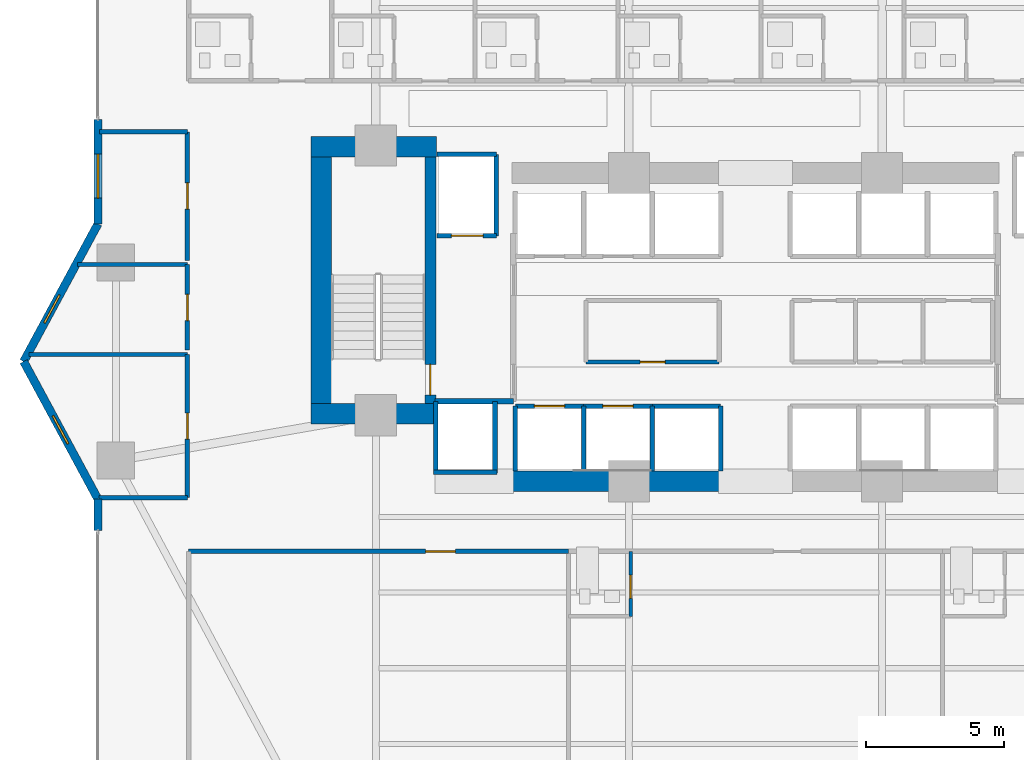
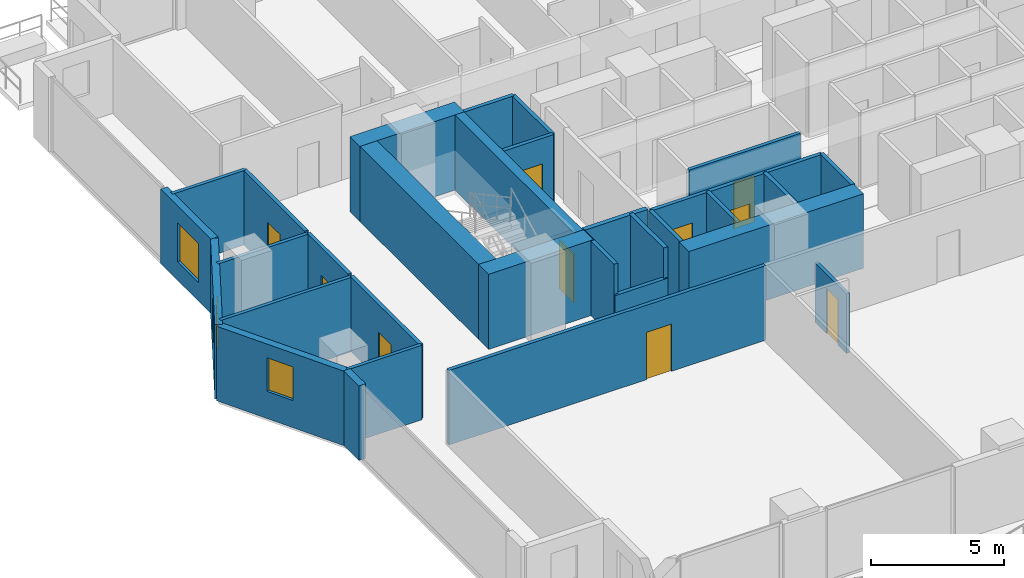
# One storey, part 21 of 29: 33 walls, 10 doors, 3 windows, 13 openings.
"""IFC4 building model written with IfcOpenShell, lengths in metres."""

from ifc_helpers import new_model, si_unit, direction, frame, frame_2d, origin, place, context, subcontext, project, spatial, rectangle, extrude, material, layer, layer_set, type_object, element, fill, save


model = new_model("IFC4")

# Units and contexts
model_context = context("Model", 3, precision=1e-05, world=origin(), true_north=direction((0.0, 1.0)))
body_context = subcontext(model_context, "Body", "Model", "MODEL_VIEW")
ifc_project = project(units=[si_unit("LENGTHUNIT", "METRE"), si_unit("AREAUNIT", "SQUARE_METRE"), si_unit("VOLUMEUNIT", "CUBIC_METRE"), si_unit("PLANEANGLEUNIT", "RADIAN"), si_unit("MASSUNIT", "GRAM", prefix="KILO")], contexts=[model_context])

# Site, building, storey
site_placement = place(None, origin())
site = spatial("IfcSite", under=ifc_project, at=site_placement, CompositionType="ELEMENT")
building_placement = place(site_placement, origin())
building = spatial("IfcBuilding", under=site, at=building_placement, Name="Zuhayl Quay Hotel", CompositionType="ELEMENT")
storey_placement = place(building_placement, frame((0.0, 0.0, 113.89990234375)))
storey = spatial("IfcBuildingStorey", under=building, at=storey_placement, Name="L28", CompositionType="ELEMENT", Elevation=113.89990234375)

# Walls
ifc_material_1 = material(Name="Concrete C60/75", Category="concrete")
ifc_layer_1 = layer(ifc_material_1, 0.75, Name="Concrete C60/75", Category="concrete")
ifc_layer_set_1 = layer_set([ifc_layer_1], Name="Concrete C60/75")
wall_type_1 = type_object("IfcWallType", Name="WL_CORE_750", PredefinedType="SHEAR", material=ifc_layer_set_1)
wall_1_placement = place(storey_placement, frame((-16.159912109375, 14.304931640625, 0.0), z_axis=(0.0, 0.0, 1.0), x_axis=(1.0, 0.0, 0.0)))
element("IfcWall", 1, at=wall_1_placement, inside=storey, type_object=wall_type_1, Name="L28 Core Shear Wall CW_NW", PredefinedType="SHEAR", context=body_context, shape_type="SweptSolid", body=[
    extrude(rectangle(XDim=4.559814453125, YDim=0.75, at=frame_2d((2.27978515625, 0.0))), origin(), (0.0, 0.0, 1.0), 3.460205078125),
])
wall_2_placement = place(storey_placement, frame((-15.784912109375, 4.969970703125, 0.0), z_axis=(0.0, 0.0, 1.0), x_axis=(0.0, 1.0, 0.0)))
element("IfcWall", 2, at=wall_2_placement, inside=storey, type_object=wall_type_1, Name="L28 Core Shear Wall CW_W", PredefinedType="SHEAR", context=body_context, shape_type="SweptSolid", body=[
    extrude(rectangle(XDim=8.9599609375, YDim=0.75, at=frame_2d((4.47998046875, 0.0))), origin(), (0.0, 0.0, 1.0), 3.460205078125),
])
wall_3_placement = place(storey_placement, frame((-16.159912109375, 4.594970703125, 0.0), z_axis=(0.0, 0.0, 1.0), x_axis=(1.0, 0.0, 0.0)))
element("IfcWall", 3, at=wall_3_placement, inside=storey, type_object=wall_type_1, Name="L28 Core Shear Wall CW_SW", PredefinedType="SHEAR", context=body_context, shape_type="SweptSolid", body=[
    extrude(rectangle(XDim=4.559814453125, YDim=0.75, at=frame_2d((2.27978515625, 0.0))), origin(), (0.0, 0.0, 1.0), 3.460205078125),
])
wall_4_placement = place(storey_placement, frame((-8.85009765625, 2.14990234375, 0.0), z_axis=(0.0, 0.0, 1.0), x_axis=(1.0, 0.0, 0.0)))
element("IfcWall", 4, at=wall_4_placement, inside=storey, type_object=wall_type_1, Name="L28 Core Shear Wall CW_SC_W", PredefinedType="SHEAR", context=body_context, shape_type="SweptSolid", body=[
    extrude(rectangle(XDim=7.60009765625, YDim=0.75, at=frame_2d((3.800048828125, 0.0))), origin(), (0.0, 0.0, 1.0), 3.43017578125),
])
ifc_material_2 = material(Name="Precast concrete C45/55", Category="concrete")
ifc_layer_2 = layer(ifc_material_2, 0.300048828125, Name="Precast concrete C45/55", Category="concrete")
ifc_layer_set_2 = layer_set([ifc_layer_2], Name="Precast concrete C45/55")
wall_type_2 = type_object("IfcWallType", Name="WL_EXT_300", PredefinedType="STANDARD", material=ifc_layer_set_2)
wall_5_placement = place(storey_placement, frame((-23.89990234375, 0.35009765625, 0.0), z_axis=(0.0, 0.0, 1.0), x_axis=(0.0, 1.0, 0.0)))
element("IfcWall", 5, at=wall_5_placement, inside=storey, type_object=wall_type_2, Name="L28 Exterior Precast Wall ENV_L28_E02_EW2", PredefinedType="STANDARD", context=body_context, shape_type="SweptSolid", body=[
    extrude(rectangle(XDim=1.14990234375, YDim=0.300048828125, at=frame_2d((0.574951171875, 0.0))), origin(), (0.0, 0.0, 1.0), 3.43017578125),
])

# Wall, opening, window
wall_6_placement = place(storey_placement, frame((-23.89990234375, 1.5, 0.0), z_axis=(0.0, 0.0, 1.0), x_axis=(-0.475175525499, 0.879891027325, 0.0)))
wall_6 = element("IfcWall", 6, at=wall_6_placement, inside=storey, type_object=wall_type_2, Name="L28 Exterior Precast Wall ENV_L28_EW03", PredefinedType="STANDARD", context=body_context, shape_type="SweptSolid", body=[
    extrude(rectangle(XDim=5.6826171875, YDim=0.300048828125, at=frame_2d((2.84130859375, 0.0))), origin(), (0.0, 0.0, 1.0), 3.43017578125),
])
opening_1_placement = place(wall_6_placement, frame((2.290283203125, 0.0, 1.25)))
opening_1 = element("IfcOpeningElement", 7, at=opening_1_placement, cuts=wall_6, Name="Opening W01N", PredefinedType="OPENING", context=body_context, shape_type="SweptSolid", body=[
    extrude(rectangle(XDim=1.14990234375, YDim=1.550048828125, at=frame_2d((0.574951171875, 0.77490234375))), frame((0.0, 0.159912109375, 0.0), z_axis=(0.0, -1.0, 0.0), x_axis=(1.0, 0.0, 0.0)), (0.0, 0.0, 1.0), 0.320068359375),
])
ifc_material_3 = material(Name="Dark Ceramic-Fritted Solar Glass", Category="glass")
window_type_1 = type_object("IfcWindowType", Name="WN_NOTCH_1350", PartitioningType="SINGLE_PANEL", PredefinedType="WINDOW", material=ifc_material_3)
window_1_placement = place(opening_1_placement, origin())
window_1 = element("IfcWindow", 8, at=window_1_placement, inside=storey, type_object=window_type_1, Name="L28 Corner Notch Window 3", OverallHeight=1.550048828125, OverallWidth=1.14990234375, PartitioningType="SINGLE_PANEL", PredefinedType="WINDOW", context=body_context, shape_type="SweptSolid", body=[
    extrude(rectangle(XDim=1.14990234375, YDim=1.550048828125, at=frame_2d((0.574951171875, 0.77490234375))), frame((0.0, 0.030029296875, 0.0), z_axis=(0.0, -1.0, 0.0), x_axis=(1.0, 0.0, 0.0)), (0.0, 0.0, 1.0), 0.06005859375),
])
fill(opening_1, window_1)

wall_7_placement = place(storey_placement, frame((-26.60009765625, 6.5, 0.0), z_axis=(0.0, 0.0, 1.0), x_axis=(0.475175525499, 0.879891027325, 0.0)))
wall_7 = element("IfcWall", 9, at=wall_7_placement, inside=storey, type_object=wall_type_2, Name="L28 Exterior Precast Wall ENV_L28_EW04", PredefinedType="STANDARD", context=body_context, shape_type="SweptSolid", body=[
    extrude(rectangle(XDim=5.6826171875, YDim=0.300048828125, at=frame_2d((2.84130859375, 0.0))), origin(), (0.0, 0.0, 1.0), 3.43017578125),
])
opening_2_placement = place(wall_7_placement, frame((1.595703125, 0.0, 1.25)))
opening_2 = element("IfcOpeningElement", 10, at=opening_2_placement, cuts=wall_7, Name="Opening W01N", PredefinedType="OPENING", context=body_context, shape_type="SweptSolid", body=[
    extrude(rectangle(XDim=1.14990234375, YDim=1.550048828125, at=frame_2d((0.574951171875, 0.77490234375))), frame((0.0, 0.159912109375, 0.0), z_axis=(0.0, -1.0, 0.0), x_axis=(1.0, 0.0, 0.0)), (0.0, 0.0, 1.0), 0.320068359375),
])
window_2_placement = place(opening_2_placement, origin())
window_2 = element("IfcWindow", 11, at=window_2_placement, inside=storey, type_object=window_type_1, Name="L28 Corner Notch Window 4", OverallHeight=1.550048828125, OverallWidth=1.14990234375, PartitioningType="SINGLE_PANEL", PredefinedType="WINDOW", context=body_context, shape_type="SweptSolid", body=[
    extrude(rectangle(XDim=1.14990234375, YDim=1.550048828125, at=frame_2d((0.574951171875, 0.77490234375))), frame((0.0, 0.030029296875, 0.0), z_axis=(0.0, -1.0, 0.0), x_axis=(1.0, 0.0, 0.0)), (0.0, 0.0, 1.0), 0.06005859375),
])
fill(opening_2, window_2)

wall_8_placement = place(storey_placement, frame((-23.89990234375, 11.5, 0.0), z_axis=(0.0, 0.0, 1.0), x_axis=(0.0, 1.0, 0.0)))
wall_8 = element("IfcWall", 12, at=wall_8_placement, inside=storey, type_object=wall_type_2, Name="L28 Exterior Precast Wall ENV_L28_E05_EW1", PredefinedType="STANDARD", context=body_context, shape_type="SweptSolid", body=[
    extrude(rectangle(XDim=3.800048828125, YDim=0.300048828125, at=frame_2d((1.89990234375, 0.0))), origin(), (0.0, 0.0, 1.0), 3.43017578125),
])
opening_3_placement = place(wall_8_placement, frame((0.93505859375, 0.0, 0.85009765625)))
opening_3 = element("IfcOpeningElement", 13, at=opening_3_placement, cuts=wall_8, Name="Opening W01", PredefinedType="OPENING", context=body_context, shape_type="SweptSolid", body=[
    extrude(rectangle(XDim=1.60009765625, YDim=1.800048828125, at=frame_2d((0.800048828125, 0.89990234375))), frame((0.0, 0.159912109375, 0.0), z_axis=(0.0, -1.0, 0.0), x_axis=(1.0, 0.0, 0.0)), (0.0, 0.0, 1.0), 0.320068359375),
])
window_type_2 = type_object("IfcWindowType", Name="WN_OPERABLE_1600", PartitioningType="DOUBLE_PANEL_VERTICAL", PredefinedType="WINDOW", material=ifc_material_3)
window_3_placement = place(opening_3_placement, origin())
window_3 = element("IfcWindow", 14, at=window_3_placement, inside=storey, type_object=window_type_2, Name="L28 Operable Facade Window 1-1", OverallHeight=1.800048828125, OverallWidth=1.60009765625, PartitioningType="SINGLE_PANEL", PredefinedType="WINDOW", context=body_context, shape_type="SweptSolid", body=[
    extrude(rectangle(XDim=1.60009765625, YDim=1.800048828125, at=frame_2d((0.800048828125, 0.89990234375))), frame((0.0, 0.030029296875, 0.0), z_axis=(0.0, -1.0, 0.0), x_axis=(1.0, 0.0, 0.0)), (0.0, 0.0, 1.0), 0.06005859375),
])
fill(opening_3, window_3)

# Wall, opening, door
ifc_material_4 = material(Name="Acoustic Gypsum Partition STC-58")
ifc_layer_3 = layer(ifc_material_4, 0.14990234375, Name="Acoustic Gypsum Partition STC-58")
ifc_layer_set_3 = layer_set([ifc_layer_3], Name="Acoustic Gypsum Partition STC-58")
wall_type_3 = type_object("IfcWallType", Name="WL_PART_150", PredefinedType="PARTITIONING", material=ifc_layer_set_3)
wall_9_placement = place(storey_placement, frame((-6.159912109375, 6.47998046875, 0.0), z_axis=(0.0, 0.0, 1.0), x_axis=(1.0, 0.0, 0.0)))
wall_9 = element("IfcWall", 15, at=wall_9_placement, inside=storey, type_object=wall_type_3, Name="L28 Partition IW_L28_CORE_SV_S", PredefinedType="PARTITIONING", context=body_context, shape_type="SweptSolid", body=[
    extrude(rectangle(XDim=4.83984375, YDim=0.14990234375, at=frame_2d((2.419921875, 0.0))), origin(), (0.0, 0.0, 1.0), 3.43017578125),
])
opening_4_placement = place(wall_9_placement, frame((1.969970703125, 0.0, 0.0)))
opening_4 = element("IfcOpeningElement", 16, at=opening_4_placement, cuts=wall_9, Name="Opening D06", PredefinedType="OPENING", context=body_context, shape_type="SweptSolid", body=[
    extrude(rectangle(XDim=0.89990234375, YDim=2.14990234375, at=frame_2d((0.449951171875, 1.074951171875))), frame((0.0, 0.0849609375, 0.0), z_axis=(0.0, -1.0, 0.0), x_axis=(1.0, 0.0, 0.0)), (0.0, 0.0, 1.0), 0.169921875),
])
ifc_material_5 = material(Name="Steel ASTM A992 Grade 50", Category="steel")
door_type_1 = type_object("IfcDoorType", Name="DR_INT_900", OperationType="NOTDEFINED", PredefinedType="DOOR", material=ifc_material_5)
door_1_placement = place(opening_4_placement, origin())
door_1 = element("IfcDoor", 17, at=door_1_placement, inside=storey, type_object=door_type_1, Name="L28 Core Ice and Linen Store Door", OperationType="SINGLE_SWING_LEFT", OverallHeight=2.14990234375, OverallWidth=0.89990234375, PredefinedType="DOOR", context=body_context, shape_type="SweptSolid", body=[
    extrude(rectangle(XDim=0.89990234375, YDim=2.14990234375, at=frame_2d((0.449951171875, 1.074951171875))), frame((0.0, 0.02490234375, 0.0), z_axis=(0.0, -1.0, 0.0), x_axis=(1.0, 0.0, 0.0)), (0.0, 0.0, 1.0), 0.050048828125),
])
fill(opening_4, door_1)

# Walls
wall_10_placement = place(storey_placement, frame((-23.866943359375, 1.550048828125, 0.0), z_axis=(0.0, 0.0, 1.0), x_axis=(1.0, 0.0, 0.0)))
element("IfcWall", 18, at=wall_10_placement, inside=storey, type_object=wall_type_3, Name="L28 Partition IW_L28_WPROW_1_S", PredefinedType="PARTITIONING", context=body_context, shape_type="SweptSolid", body=[
    extrude(rectangle(XDim=3.217041015625, YDim=0.14990234375, at=frame_2d((1.6083984375, 0.0))), origin(), (0.0, 0.0, 1.0), 3.43017578125),
])
wall_11_placement = place(storey_placement, frame((-26.405029296875, 6.75, 0.0), z_axis=(0.0, 0.0, 1.0), x_axis=(1.0, 0.0, 0.0)))
element("IfcWall", 19, at=wall_11_placement, inside=storey, type_object=wall_type_3, Name="L28 Partition IW_L28_WPROW_1_N", PredefinedType="PARTITIONING", context=body_context, shape_type="SweptSolid", body=[
    extrude(rectangle(XDim=5.755126953125, YDim=0.14990234375, at=frame_2d((2.87744140625, 0.0))), origin(), (0.0, 0.0, 1.0), 3.43017578125),
])
wall_12_placement = place(storey_placement, frame((-24.63916015625, 10.02001953125, 0.0), z_axis=(0.0, 0.0, 1.0), x_axis=(1.0, 0.0, 0.0)))
element("IfcWall", 20, at=wall_12_placement, inside=storey, type_object=wall_type_3, Name="L28 Partition IW_L28_WPROW_2_N", PredefinedType="PARTITIONING", context=body_context, shape_type="SweptSolid", body=[
    extrude(rectangle(XDim=3.9892578125, YDim=0.14990234375, at=frame_2d((1.99462890625, 0.0))), origin(), (0.0, 0.0, 1.0), 3.43017578125),
])
wall_13_placement = place(storey_placement, frame((-23.840087890625, 14.85009765625, 0.0), z_axis=(0.0, 0.0, 1.0), x_axis=(1.0, 0.0, 0.0)))
element("IfcWall", 21, at=wall_13_placement, inside=storey, type_object=wall_type_3, Name="L28 Partition IW_L28_WPROW_3_N", PredefinedType="PARTITIONING", context=body_context, shape_type="SweptSolid", body=[
    extrude(rectangle(XDim=3.190185546875, YDim=0.14990234375, at=frame_2d((1.59521484375, 0.0))), origin(), (0.0, 0.0, 1.0), 3.43017578125),
])

# Wall, opening, door
ifc_layer_4 = layer(ifc_material_4, 0.159912109375, Name="Acoustic Gypsum Partition STC-58")
ifc_layer_set_4 = layer_set([ifc_layer_4], Name="Acoustic Gypsum Partition STC-58")
wall_type_4 = type_object("IfcWallType", Name="WL_PART_CORR_160", PredefinedType="PARTITIONING", material=ifc_layer_set_4)
wall_14_placement = place(storey_placement, frame((-20.60009765625, -0.39990234375, 0.0), z_axis=(0.0, 0.0, 1.0), x_axis=(1.0, 0.0, 0.0)))
wall_14 = element("IfcWall", 22, at=wall_14_placement, inside=storey, type_object=wall_type_4, Name="L28 Partition IW_L28_SSAL_0_N", PredefinedType="PARTITIONING", context=body_context, shape_type="SweptSolid", body=[
    extrude(rectangle(XDim=13.800048828125, YDim=0.159912109375, at=frame_2d((6.89990234375, 0.0))), origin(), (0.0, 0.0, 1.0), 3.43017578125),
])
opening_5_placement = place(wall_14_placement, frame((8.610107421875, 0.0, 0.0)))
opening_5 = element("IfcOpeningElement", 23, at=opening_5_placement, cuts=wall_14, Name="Opening D05A", PredefinedType="OPENING", context=body_context, shape_type="SweptSolid", body=[
    extrude(rectangle(XDim=1.080078125, YDim=2.179931640625, at=frame_2d((0.5400390625, 1.08984375))), frame((0.0, 0.08984375, 0.0), z_axis=(0.0, -1.0, 0.0), x_axis=(1.0, 0.0, 0.0)), (0.0, 0.0, 1.0), 0.179931640625),
])
ifc_material_6 = material(Name="Solid Walnut Acoustic Fire Door")
door_type_2 = type_object("IfcDoorType", Name="DR_INT_1100", OperationType="NOTDEFINED", PredefinedType="DOOR", material=ifc_material_6)
door_2_placement = place(opening_5_placement, origin())
door_2 = element("IfcDoor", 24, at=door_2_placement, inside=storey, type_object=door_type_2, Name="L28 South Sunset Salon L28 Door", OperationType="SINGLE_SWING_LEFT", OverallHeight=2.179931640625, OverallWidth=1.080078125, PredefinedType="DOOR", context=body_context, shape_type="SweptSolid", body=[
    extrude(rectangle(XDim=1.080078125, YDim=2.179931640625, at=frame_2d((0.5400390625, 1.08984375))), frame((0.0, 0.02490234375, 0.0), z_axis=(0.0, -1.0, 0.0), x_axis=(1.0, 0.0, 0.0)), (0.0, 0.0, 1.0), 0.050048828125),
])
fill(opening_5, door_2)

wall_15_placement = place(storey_placement, frame((-20.64990234375, 1.550048828125, 0.0), z_axis=(0.0, 0.0, 1.0), x_axis=(0.0, 1.0, 0.0)))
wall_15 = element("IfcWall", 25, at=wall_15_placement, inside=storey, type_object=wall_type_4, Name="L28 Partition IW_L28_WPROW_1_E", PredefinedType="PARTITIONING", context=body_context, shape_type="SweptSolid", body=[
    extrude(rectangle(XDim=5.199951171875, YDim=0.159912109375, at=frame_2d((2.60009765625, 0.0))), origin(), (0.0, 0.0, 1.0), 3.43017578125),
])
opening_6_placement = place(wall_15_placement, frame((2.125, 0.0, 0.0)))
opening_6 = element("IfcOpeningElement", 26, at=opening_6_placement, cuts=wall_15, Name="Opening D03", PredefinedType="OPENING", context=body_context, shape_type="SweptSolid", body=[
    extrude(rectangle(XDim=0.949951171875, YDim=2.14990234375, at=frame_2d((0.47509765625, 1.074951171875))), frame((0.0, 0.08984375, 0.0), z_axis=(0.0, -1.0, 0.0), x_axis=(1.0, 0.0, 0.0)), (0.0, 0.0, 1.0), 0.179931640625),
])
door_type_3 = type_object("IfcDoorType", Name="DR_SUITE_950", OperationType="NOTDEFINED", PredefinedType="DOOR", material=ifc_material_6)
door_3_placement = place(opening_6_placement, origin())
door_3 = element("IfcDoor", 27, at=door_3_placement, inside=storey, type_object=door_type_3, Name="L28 West Prow Office L28 Door", OperationType="SINGLE_SWING_RIGHT", OverallHeight=2.14990234375, OverallWidth=0.949951171875, PredefinedType="DOOR", context=body_context, shape_type="SweptSolid", body=[
    extrude(rectangle(XDim=0.949951171875, YDim=2.14990234375, at=frame_2d((0.47509765625, 1.074951171875))), frame((0.0, 0.02490234375, 0.0), z_axis=(0.0, -1.0, 0.0), x_axis=(1.0, 0.0, 0.0)), (0.0, 0.0, 1.0), 0.050048828125),
])
fill(opening_6, door_3)

wall_16_placement = place(storey_placement, frame((-20.64990234375, 6.909912109375, 0.0), z_axis=(0.0, 0.0, 1.0), x_axis=(0.0, 1.0, 0.0)))
wall_16 = element("IfcWall", 28, at=wall_16_placement, inside=storey, type_object=wall_type_4, Name="L28 Partition IW_L28_WPROW_2_E", PredefinedType="PARTITIONING", context=body_context, shape_type="SweptSolid", body=[
    extrude(rectangle(XDim=3.110107421875, YDim=0.159912109375, at=frame_2d((1.55517578125, 0.0))), origin(), (0.0, 0.0, 1.0), 3.43017578125),
])
opening_7_placement = place(wall_16_placement, frame((1.080078125, 0.0, 0.0)))
opening_7 = element("IfcOpeningElement", 29, at=opening_7_placement, cuts=wall_16, Name="Opening D03", PredefinedType="OPENING", context=body_context, shape_type="SweptSolid", body=[
    extrude(rectangle(XDim=0.949951171875, YDim=2.14990234375, at=frame_2d((0.47509765625, 1.074951171875))), frame((0.0, 0.08984375, 0.0), z_axis=(0.0, -1.0, 0.0), x_axis=(1.0, 0.0, 0.0)), (0.0, 0.0, 1.0), 0.179931640625),
])
door_4_placement = place(opening_7_placement, origin())
door_4 = element("IfcDoor", 30, at=door_4_placement, inside=storey, type_object=door_type_3, Name="L28 Sunset Tea Salon L28 Door", OperationType="SINGLE_SWING_LEFT", OverallHeight=2.14990234375, OverallWidth=0.949951171875, PredefinedType="DOOR", context=body_context, shape_type="SweptSolid", body=[
    extrude(rectangle(XDim=0.949951171875, YDim=2.14990234375, at=frame_2d((0.47509765625, 1.074951171875))), frame((0.0, 0.02490234375, 0.0), z_axis=(0.0, -1.0, 0.0), x_axis=(1.0, 0.0, 0.0)), (0.0, 0.0, 1.0), 0.050048828125),
])
fill(opening_7, door_4)

wall_17_placement = place(storey_placement, frame((-20.64990234375, 10.179931640625, 0.0), z_axis=(0.0, 0.0, 1.0), x_axis=(0.0, 1.0, 0.0)))
wall_17 = element("IfcWall", 31, at=wall_17_placement, inside=storey, type_object=wall_type_4, Name="L28 Partition IW_L28_WPROW_3_E", PredefinedType="PARTITIONING", context=body_context, shape_type="SweptSolid", body=[
    extrude(rectangle(XDim=4.670166015625, YDim=0.159912109375, at=frame_2d((2.3349609375, 0.0))), origin(), (0.0, 0.0, 1.0), 3.43017578125),
])
opening_8_placement = place(wall_17_placement, frame((1.860107421875, 0.0, 0.0)))
opening_8 = element("IfcOpeningElement", 32, at=opening_8_placement, cuts=wall_17, Name="Opening D03", PredefinedType="OPENING", context=body_context, shape_type="SweptSolid", body=[
    extrude(rectangle(XDim=0.949951171875, YDim=2.14990234375, at=frame_2d((0.47509765625, 1.074951171875))), frame((0.0, 0.08984375, 0.0), z_axis=(0.0, -1.0, 0.0), x_axis=(1.0, 0.0, 0.0)), (0.0, 0.0, 1.0), 0.179931640625),
])
door_5_placement = place(opening_8_placement, origin())
door_5 = element("IfcDoor", 33, at=door_5_placement, inside=storey, type_object=door_type_3, Name="L28 West Horizon Salon L28 Door", OperationType="SINGLE_SWING_RIGHT", OverallHeight=2.14990234375, OverallWidth=0.949951171875, PredefinedType="DOOR", context=body_context, shape_type="SweptSolid", body=[
    extrude(rectangle(XDim=0.949951171875, YDim=2.14990234375, at=frame_2d((0.47509765625, 1.074951171875))), frame((0.0, 0.02490234375, 0.0), z_axis=(0.0, -1.0, 0.0), x_axis=(1.0, 0.0, 0.0)), (0.0, 0.0, 1.0), 0.050048828125),
])
fill(opening_8, door_5)

ifc_material_7 = material(Name="Moisture-Resistant Sanitarychase Gypsum")
ifc_layer_5 = layer(ifc_material_7, 0.135009765625, Name="Moisture-Resistant Sanitarychase Gypsum")
ifc_layer_set_5 = layer_set([ifc_layer_5], Name="Moisture-Resistant Sanitarychase Gypsum")
wall_type_5 = type_object("IfcWallType", Name="WL_PART_PLUMB_150", PredefinedType="PLUMBINGWALL", material=ifc_layer_set_5)
wall_18_placement = place(storey_placement, frame((-4.5400390625, -2.760009765625, 0.0), z_axis=(0.0, 0.0, 1.0), x_axis=(0.0, 1.0, 0.0)))
wall_18 = element("IfcWall", 34, at=wall_18_placement, inside=storey, type_object=wall_type_5, Name="L28 Partition IW_L28_SU02_BE", PredefinedType="PLUMBINGWALL", context=body_context, shape_type="SweptSolid", body=[
    extrude(rectangle(XDim=2.360107421875, YDim=0.135009765625, at=frame_2d((1.18017578125, 0.0))), origin(), (0.0, 0.0, 1.0), 2.7470703125),
])
opening_9_placement = place(wall_18_placement, frame((0.64990234375, 0.0, 0.0)))
opening_9 = element("IfcOpeningElement", 35, at=opening_9_placement, cuts=wall_18, Name="Opening D04", PredefinedType="OPENING", context=body_context, shape_type="SweptSolid", body=[
    extrude(rectangle(XDim=0.85009765625, YDim=2.10009765625, at=frame_2d((0.425048828125, 1.050048828125))), frame((0.0, 0.077392578125, 0.0), z_axis=(0.0, -1.0, 0.0), x_axis=(1.0, 0.0, 0.0)), (0.0, 0.0, 1.0), 0.155029296875),
])
ifc_material_8 = material(Name="Moisture-Resistant Walnut Veneer")
door_type_4 = type_object("IfcDoorType", Name="DR_BATH_850", OperationType="NOTDEFINED", PredefinedType="DOOR", material=ifc_material_8)
door_6_placement = place(opening_9_placement, origin())
door_6 = element("IfcDoor", 36, at=door_6_placement, inside=storey, type_object=door_type_4, Name="L28 City-View Junior Suite L28-02 En-Suite Door", OperationType="SINGLE_SWING_RIGHT", OverallHeight=2.10009765625, OverallWidth=0.85009765625, PredefinedType="DOOR", context=body_context, shape_type="SweptSolid", body=[
    extrude(rectangle(XDim=0.85009765625, YDim=2.10009765625, at=frame_2d((0.425048828125, 1.050048828125))), frame((0.0, 0.02490234375, 0.0), z_axis=(0.0, -1.0, 0.0), x_axis=(1.0, 0.0, 0.0)), (0.0, 0.0, 1.0), 0.050048828125),
])
fill(opening_9, door_6)

ifc_material_9 = material(Name="Gypsum Fireboard Assembly EI-90")
ifc_layer_6 = layer(ifc_material_9, 0.1650390625, Name="Gypsum Fireboard Assembly EI-90")
ifc_layer_set_6 = layer_set([ifc_layer_6], Name="Gypsum Fireboard Assembly EI-90")
wall_type_6 = type_object("IfcWallType", Name="WL_PART_SHAFT_160", PredefinedType="PARTITIONING", material=ifc_layer_set_6)
wall_19_placement = place(storey_placement, frame((-11.580078125, 11.070068359375, 0.0), z_axis=(0.0, 0.0, 1.0), x_axis=(1.0, 0.0, 0.0)))
wall_19 = element("IfcWall", 37, at=wall_19_placement, inside=storey, type_object=wall_type_6, Name="L28 Partition IW_L28_SH_FL1_F", PredefinedType="PARTITIONING", context=body_context, shape_type="SweptSolid", body=[
    extrude(rectangle(XDim=2.16015625, YDim=0.1650390625, at=frame_2d((1.080078125, 0.0))), origin(), (0.0, 0.0, 1.0), 3.43017578125),
])
opening_10_placement = place(wall_19_placement, frame((0.530029296875, 0.0, 0.0)))
opening_10 = element("IfcOpeningElement", 38, at=opening_10_placement, cuts=wall_19, Name="Opening LD2", PredefinedType="OPENING", context=body_context, shape_type="SweptSolid", body=[
    extrude(rectangle(XDim=1.14990234375, YDim=2.25, at=frame_2d((0.574951171875, 1.125))), frame((0.0, 0.092529296875, 0.0), z_axis=(0.0, -1.0, 0.0), x_axis=(1.0, 0.0, 0.0)), (0.0, 0.0, 1.0), 0.18505859375),
])
ifc_material_10 = material(Name="Brushed Stainless Steel", Category="steel")
door_type_5 = type_object("IfcDoorType", Name="DR_LIFT_FF_1100", OperationType="SLIDING_TO_LEFT", PredefinedType="DOOR", material=ifc_material_10)
door_7_placement = place(opening_10_placement, origin())
door_7 = element("IfcDoor", 39, at=door_7_placement, inside=storey, type_object=door_type_5, Name="L28 Lift FL1 Sliding Landing Door", OperationType="SLIDING_TO_LEFT", OverallHeight=2.25, OverallWidth=1.14990234375, PredefinedType="DOOR", context=body_context, shape_type="SweptSolid", body=[
    extrude(rectangle(XDim=1.14990234375, YDim=2.25, at=frame_2d((0.574951171875, 1.125))), frame((0.0, 0.02490234375, 0.0), z_axis=(0.0, -1.0, 0.0), x_axis=(1.0, 0.0, 0.0)), (0.0, 0.0, 1.0), 0.050048828125),
])
fill(opening_10, door_7)

wall_20_placement = place(storey_placement, frame((-8.72998046875, 4.8798828125, 0.0), z_axis=(0.0, 0.0, 1.0), x_axis=(1.0, 0.0, 0.0)))
wall_20 = element("IfcWall", 40, at=wall_20_placement, inside=storey, type_object=wall_type_6, Name="L28 Partition IW_L28_SH_LP1_F", PredefinedType="PARTITIONING", context=body_context, shape_type="SweptSolid", body=[
    extrude(rectangle(XDim=2.47998046875, YDim=0.1650390625, at=frame_2d((1.239990234375, 0.0))), origin(), (0.0, 0.0, 1.0), 3.43017578125),
])
opening_11_placement = place(wall_20_placement, frame((0.68994140625, 0.0, 0.0)))
opening_11 = element("IfcOpeningElement", 41, at=opening_11_placement, cuts=wall_20, Name="Opening LD1", PredefinedType="OPENING", context=body_context, shape_type="SweptSolid", body=[
    extrude(rectangle(XDim=1.10009765625, YDim=2.25, at=frame_2d((0.550048828125, 1.125))), frame((0.0, 0.092529296875, 0.0), z_axis=(0.0, -1.0, 0.0), x_axis=(1.0, 0.0, 0.0)), (0.0, 0.0, 1.0), 0.18505859375),
])
door_type_6 = type_object("IfcDoorType", Name="DR_LIFT_PASS_1100", OperationType="SLIDING_TO_LEFT", PredefinedType="DOOR", material=ifc_material_10)
door_8_placement = place(opening_11_placement, origin())
door_8 = element("IfcDoor", 42, at=door_8_placement, inside=storey, type_object=door_type_6, Name="L28 Lift LP1 Sliding Landing Door", OperationType="SLIDING_TO_LEFT", OverallHeight=2.25, OverallWidth=1.10009765625, PredefinedType="DOOR", context=body_context, shape_type="SweptSolid", body=[
    extrude(rectangle(XDim=1.10009765625, YDim=2.25, at=frame_2d((0.550048828125, 1.125))), frame((0.0, 0.02490234375, 0.0), z_axis=(0.0, -1.0, 0.0), x_axis=(1.0, 0.0, 0.0)), (0.0, 0.0, 1.0), 0.050048828125),
])
fill(opening_11, door_8)

wall_21_placement = place(storey_placement, frame((-6.25, 4.8798828125, 0.0), z_axis=(0.0, 0.0, 1.0), x_axis=(1.0, 0.0, 0.0)))
wall_21 = element("IfcWall", 43, at=wall_21_placement, inside=storey, type_object=wall_type_6, Name="L28 Partition IW_L28_SH_LP2_F", PredefinedType="PARTITIONING", context=body_context, shape_type="SweptSolid", body=[
    extrude(rectangle(XDim=2.5, YDim=0.1650390625, at=frame_2d((1.25, 0.0))), origin(), (0.0, 0.0, 1.0), 3.43017578125),
])
opening_12_placement = place(wall_21_placement, frame((0.699951171875, 0.0, 0.0)))
opening_12 = element("IfcOpeningElement", 44, at=opening_12_placement, cuts=wall_21, Name="Opening LD1", PredefinedType="OPENING", context=body_context, shape_type="SweptSolid", body=[
    extrude(rectangle(XDim=1.10009765625, YDim=2.25, at=frame_2d((0.550048828125, 1.125))), frame((0.0, 0.092529296875, 0.0), z_axis=(0.0, -1.0, 0.0), x_axis=(1.0, 0.0, 0.0)), (0.0, 0.0, 1.0), 0.18505859375),
])
door_9_placement = place(opening_12_placement, origin())
door_9 = element("IfcDoor", 45, at=door_9_placement, inside=storey, type_object=door_type_6, Name="L28 Lift LP2 Sliding Landing Door", OperationType="SLIDING_TO_LEFT", OverallHeight=2.25, OverallWidth=1.10009765625, PredefinedType="DOOR", context=body_context, shape_type="SweptSolid", body=[
    extrude(rectangle(XDim=1.10009765625, YDim=2.25, at=frame_2d((0.550048828125, 1.125))), frame((0.0, 0.02490234375, 0.0), z_axis=(0.0, -1.0, 0.0), x_axis=(1.0, 0.0, 0.0)), (0.0, 0.0, 1.0), 0.050048828125),
])
fill(opening_12, door_9)

# Walls
wall_22_placement = place(storey_placement, frame((-9.419921875, 11.070068359375, 0.0), z_axis=(0.0, 0.0, 1.0), x_axis=(0.0, 1.0, 0.0)))
element("IfcWall", 46, at=wall_22_placement, inside=storey, type_object=wall_type_6, Name="L28 Partition IW_L28_SH_FL1_E", PredefinedType="PARTITIONING", context=body_context, shape_type="SweptSolid", body=[
    extrude(rectangle(XDim=2.9599609375, YDim=0.1650390625, at=frame_2d((1.47998046875, 0.0))), origin(), (0.0, 0.0, 1.0), 3.43017578125),
])
wall_23_placement = place(storey_placement, frame((-11.580078125, 14.030029296875, 0.0), z_axis=(0.0, 0.0, 1.0), x_axis=(1.0, 0.0, 0.0)))
element("IfcWall", 47, at=wall_23_placement, inside=storey, type_object=wall_type_6, Name="L28 Partition IW_L28_SH_FL1_B", PredefinedType="PARTITIONING", context=body_context, shape_type="SweptSolid", body=[
    extrude(rectangle(XDim=2.16015625, YDim=0.1650390625, at=frame_2d((1.080078125, 0.0))), origin(), (0.0, 0.0, 1.0), 3.43017578125),
])
for number, where, z_axis, x_axis, name in (
    (48, (-8.72998046875, 2.52001953125, 0.0), (0.0, 0.0, 1.0), (0.0, 1.0, 0.0), "L28 Partition IW_L28_SH_LP1_W"),
    (49, (-6.25, 2.52001953125, 0.0), (0.0, 0.0, 1.0), (0.0, 1.0, 0.0), "L28 Partition IW_L28_SH_LP1_E"),
    (50, (-3.75, 2.52001953125, 0.0), (0.0, 0.0, 1.0), (0.0, 1.0, 0.0), "L28 Partition IW_L28_SH_LP2_E"),
):
    element("IfcWall", number, at=place(storey_placement, frame(where, z_axis=z_axis, x_axis=x_axis)), inside=storey, type_object=wall_type_6, Name=name, PredefinedType="PARTITIONING", context=body_context, shape_type="SweptSolid", body=[
        extrude(rectangle(XDim=2.35986328125, YDim=0.1650390625, at=frame_2d((1.179931640625, 0.0))), origin(), (0.0, 0.0, 1.0), 3.43017578125),
    ])
wall_24_placement = place(storey_placement, frame((-3.75, 4.8798828125, 0.0), z_axis=(0.0, 0.0, 1.0), x_axis=(1.0, 0.0, 0.0)))
element("IfcWall", 51, at=wall_24_placement, inside=storey, type_object=wall_type_6, Name="L28 Partition IW_L28_SH_MP1_F", PredefinedType="PARTITIONING", context=body_context, shape_type="SweptSolid", body=[
    extrude(rectangle(XDim=2.47998046875, YDim=0.1650390625, at=frame_2d((1.239990234375, 0.0))), origin(), (0.0, 0.0, 1.0), 3.43017578125),
])
wall_25_placement = place(storey_placement, frame((-1.27001953125, 2.52001953125, 0.0), z_axis=(0.0, 0.0, 1.0), x_axis=(0.0, 1.0, 0.0)))
element("IfcWall", 52, at=wall_25_placement, inside=storey, type_object=wall_type_6, Name="L28 Partition IW_L28_SH_MP1_E", PredefinedType="PARTITIONING", context=body_context, shape_type="SweptSolid", body=[
    extrude(rectangle(XDim=2.35986328125, YDim=0.1650390625, at=frame_2d((1.179931640625, 0.0))), origin(), (0.0, 0.0, 1.0), 3.43017578125),
])
wall_26_placement = place(storey_placement, frame((-11.6298828125, 2.469970703125, 0.0), z_axis=(0.0, 0.0, 1.0), x_axis=(0.0, 1.0, 0.0)))
element("IfcWall", 53, at=wall_26_placement, inside=storey, type_object=wall_type_6, Name="L28 Partition IW_L28_RISER_W", PredefinedType="PARTITIONING", context=body_context, shape_type="SweptSolid", body=[
    extrude(rectangle(XDim=2.580078125, YDim=0.1650390625, at=frame_2d((1.2900390625, 0.0))), origin(), (0.0, 0.0, 1.0), 3.43017578125),
])
wall_27_placement = place(storey_placement, frame((-11.7099609375, 2.469970703125, 0.0), z_axis=(0.0, 0.0, 1.0), x_axis=(1.0, 0.0, 0.0)))
element("IfcWall", 54, at=wall_27_placement, inside=storey, type_object=wall_type_6, Name="L28 Partition IW_L28_RISER_S", PredefinedType="PARTITIONING", context=body_context, shape_type="SweptSolid", body=[
    extrude(rectangle(XDim=2.31005859375, YDim=0.1650390625, at=frame_2d((1.155029296875, 0.0))), origin(), (0.0, 0.0, 1.0), 2.030029296875),
])
ifc_layer_7 = layer(ifc_material_9, 0.179931640625, Name="Gypsum Fireboard Assembly EI-90")
ifc_layer_set_7 = layer_set([ifc_layer_7], Name="Gypsum Fireboard Assembly EI-90")
wall_type_7 = type_object("IfcWallType", Name="WL_PART_SHAFT_180", PredefinedType="PARTITIONING", material=ifc_layer_set_7)
wall_28_placement = place(storey_placement, frame((-9.469970703125, 2.449951171875, 0.0), z_axis=(0.0, 0.0, 1.0), x_axis=(0.0, 1.0, 0.0)))
element("IfcWall", 55, at=wall_28_placement, inside=storey, type_object=wall_type_7, Name="L28 Partition IW_L28_RISER_E", PredefinedType="PARTITIONING", context=body_context, shape_type="SweptSolid", body=[
    extrude(rectangle(XDim=2.60009765625, YDim=0.179931640625, at=frame_2d((1.300048828125, 0.0))), origin(), (0.0, 0.0, 1.0), 3.43017578125),
])
ifc_material_11 = material(Name="Gypsum Fireboard Assembly EI-120")
ifc_layer_8 = layer(ifc_material_11, 0.199951171875, Name="Gypsum Fireboard Assembly EI-120")
ifc_layer_set_8 = layer_set([ifc_layer_8], Name="Gypsum Fireboard Assembly EI-120")
wall_type_8 = type_object("IfcWallType", Name="WL_PART_SHAFT_200", PredefinedType="PARTITIONING", material=ifc_layer_set_8)
wall_29_placement = place(storey_placement, frame((-11.64990234375, 5.050048828125, 0.0), z_axis=(0.0, 0.0, 1.0), x_axis=(1.0, 0.0, 0.0)))
element("IfcWall", 56, at=wall_29_placement, inside=storey, type_object=wall_type_8, Name="L28 Partition IW_L28_FSAE_W_S", PredefinedType="PARTITIONING", context=body_context, shape_type="SweptSolid", body=[
    extrude(rectangle(XDim=2.849853515625, YDim=0.199951171875, at=frame_2d((1.4248046875, 0.0))), origin(), (0.0, 0.0, 1.0), 3.43017578125),
])

# Wall, opening, door
ifc_layer_9 = layer(ifc_material_1, 0.39990234375, Name="Concrete C60/75", Category="concrete")
ifc_layer_set_9 = layer_set([ifc_layer_9], Name="Concrete C60/75")
wall_type_9 = type_object("IfcWallType", Name="WL_STAIR_400", PredefinedType="SHEAR", material=ifc_layer_set_9)
wall_30_placement = place(storey_placement, frame((-11.820068359375, 4.969970703125, 0.0), z_axis=(0.0, 0.0, 1.0), x_axis=(0.0, 1.0, 0.0)))
wall_30 = element("IfcWall", 57, at=wall_30_placement, inside=storey, type_object=wall_type_9, Name="L28 Core Shear Wall SW_ST1", PredefinedType="SHEAR", context=body_context, shape_type="SweptSolid", body=[
    extrude(rectangle(XDim=8.9599609375, YDim=0.39990234375, at=frame_2d((4.47998046875, 0.0))), origin(), (0.0, 0.0, 1.0), 3.460205078125),
])
opening_13_placement = place(wall_30_placement, frame((0.31005859375, 0.0, 0.0)))
opening_13 = element("IfcOpeningElement", 58, at=opening_13_placement, cuts=wall_30, Name="Opening D01", PredefinedType="OPENING", context=body_context, shape_type="SweptSolid", body=[
    extrude(rectangle(XDim=1.1201171875, YDim=2.219970703125, at=frame_2d((0.56005859375, 1.10986328125))), frame((0.0, 0.2099609375, 0.0), z_axis=(0.0, -1.0, 0.0), x_axis=(1.0, 0.0, 0.0)), (0.0, 0.0, 1.0), 0.419921875),
])
door_type_7 = type_object("IfcDoorType", Name="DR_STAIR_90_1100", OperationType="NOTDEFINED", PredefinedType="DOOR", material=ifc_material_5)
door_10_placement = place(opening_13_placement, origin())
door_10 = element("IfcDoor", 59, at=door_10_placement, inside=storey, type_object=door_type_7, Name="L28 Smokeproof Exit Stair ST1 Door", OperationType="SINGLE_SWING_LEFT", OverallHeight=2.219970703125, OverallWidth=1.1201171875, PredefinedType="DOOR", context=body_context, shape_type="SweptSolid", body=[
    extrude(rectangle(XDim=1.1201171875, YDim=2.219970703125, at=frame_2d((0.56005859375, 1.10986328125))), frame((0.0, 0.02490234375, 0.0), z_axis=(0.0, -1.0, 0.0), x_axis=(1.0, 0.0, 0.0)), (0.0, 0.0, 1.0), 0.050048828125),
])
fill(opening_13, door_10)

save(model, "model.ifc")
